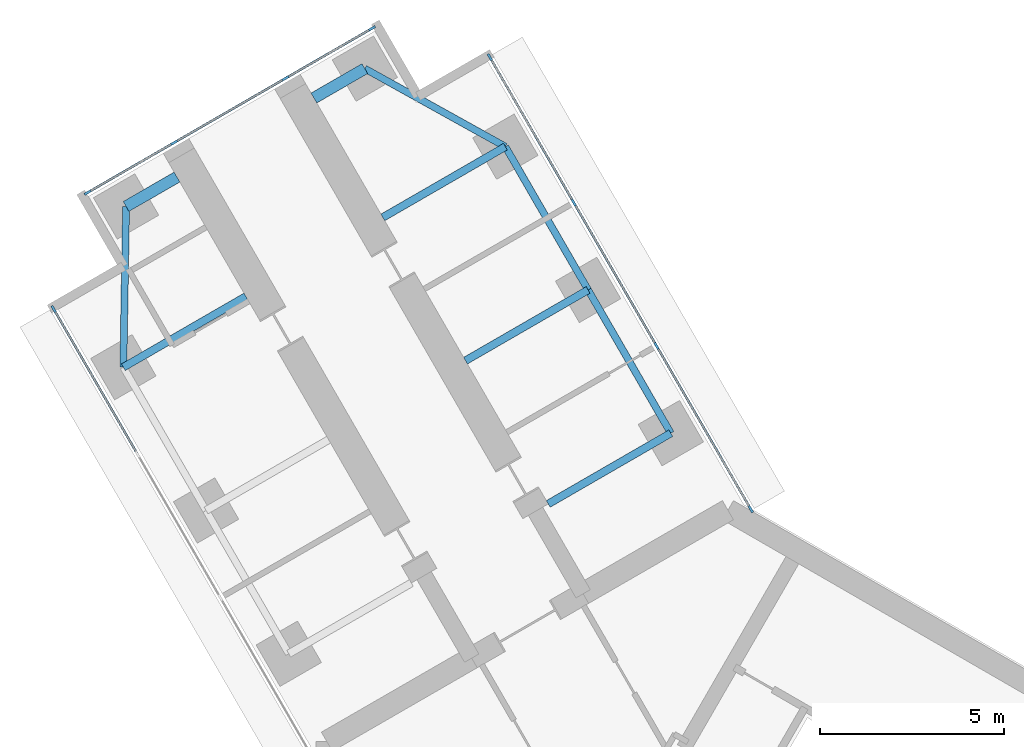
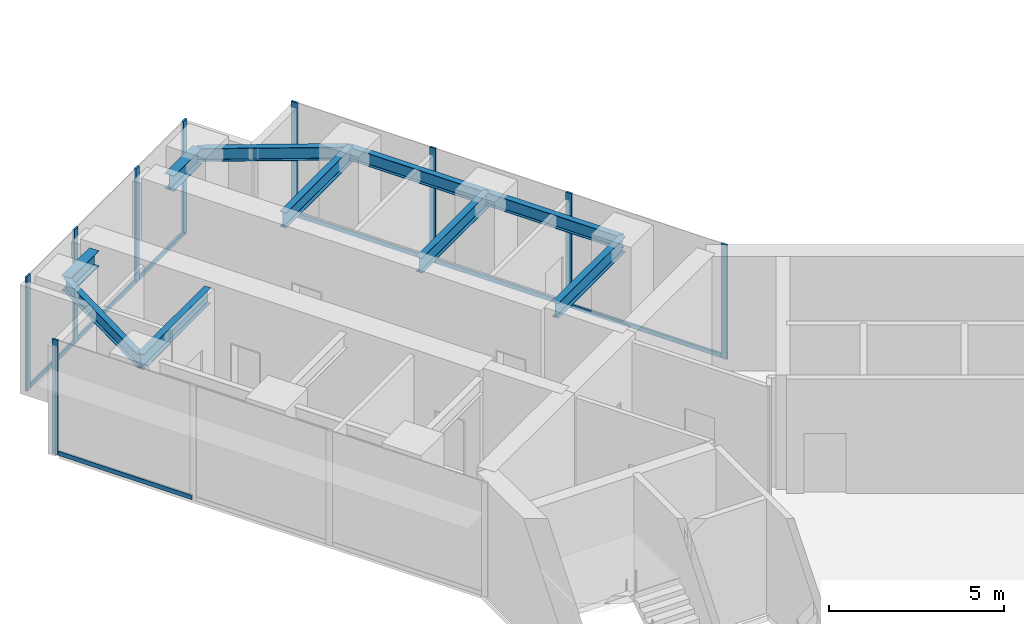
# One storey, part 6 of 22: 16 members, 10 beams, 3 elements without a shape of their own.
"""IFC4 building model written with IfcOpenShell, lengths in metres."""

from ifc_helpers import new_model, si_unit, direction, frame, origin, origin_2d, place, context, subcontext, project, spatial, rectangle, i_section, extrude, material, material_profile, profile_set, type_object, element, aggregate, save


model = new_model("IFC4")

# Units and contexts
model_context = context("Model", 3, precision=1e-05, world=origin(), true_north=direction((0.0, 1.0)))
body_context = subcontext(model_context, "Body", "Model", "MODEL_VIEW")
ifc_project = project(units=[si_unit("LENGTHUNIT", "METRE"), si_unit("AREAUNIT", "SQUARE_METRE"), si_unit("VOLUMEUNIT", "CUBIC_METRE"), si_unit("PLANEANGLEUNIT", "RADIAN"), si_unit("MASSUNIT", "GRAM", prefix="KILO")], contexts=[model_context])

# Site, building, storey
site_placement = place(None, origin())
site = spatial("IfcSite", under=ifc_project, at=site_placement, CompositionType="ELEMENT")
building_placement = place(site_placement, origin())
building = spatial("IfcBuilding", under=site, at=building_placement, Name="Upepo Twin Towers", CompositionType="ELEMENT")
storey_placement = place(building_placement, frame((0.0, 0.0, 121.5)))
storey = spatial("IfcBuildingStorey", under=building, at=storey_placement, Name="L29", CompositionType="ELEMENT", Elevation=121.5)

# Beams
ifc_material_1 = material(Name="Steel S355", Category="steel")
ifc_material_profile_1 = material_profile(ifc_material_1, i_section(OverallWidth=0.1904296875, OverallDepth=0.45703125, WebThickness=0.009033203125, FlangeThickness=0.014404296875, FilletRadius=0.01025390625, at=origin_2d()), Name="UB 457x191x74")
ifc_profile_set_1 = profile_set([ifc_material_profile_1], Name="Steel S355")
beam_type_1 = type_object("IfcBeamType", Name="Beam UB 457x191x74", PredefinedType="BEAM", material=ifc_profile_set_1)
beam_1_placement = place(storey_placement, frame((-16.446044921875, 16.485595703125, 3.571533203125), z_axis=(0.016803880528, 0.999858804832, 0.0), x_axis=(-0.999858804832, 0.016803880528, 0.0)))
element("IfcBeam", 1, at=beam_1_placement, inside=storey, type_object=beam_type_1, Name="T1 nose edge beam BL", PredefinedType="BEAM", context=body_context, shape_type="SweptSolid", body=[
    extrude(i_section(OverallWidth=0.1904296875, OverallDepth=0.45703125, WebThickness=0.009033203125, FlangeThickness=0.014404296875, FilletRadius=0.01025390625, at=origin_2d()), origin(), (0.0, 0.0, 1.0), 4.373291015625),
])
beam_2_placement = place(storey_placement, frame((-1.553955078125, 14.69140625, 3.571533203125), z_axis=(-0.500013631625, 0.866017533419, 0.0), x_axis=(-0.866017533419, -0.500013631625, 0.0)))
element("IfcBeam", 2, at=beam_2_placement, inside=storey, type_object=beam_type_1, Name="T1 edge beam BR 13.5-18.0", PredefinedType="BEAM", context=body_context, shape_type="SweptSolid", body=[
    extrude(i_section(OverallWidth=0.1904296875, OverallDepth=0.45703125, WebThickness=0.009033203125, FlangeThickness=0.014404296875, FilletRadius=0.01025390625, at=origin_2d()), origin(), (0.0, 0.0, 1.0), 4.499755859375),
])
beam_3_placement = place(storey_placement, frame((-3.803955078125, 18.58837890625, 3.571533203125), z_axis=(-0.499990139034, 0.866031096941, 0.0), x_axis=(-0.866031096941, -0.499990139034, 0.0)))
element("IfcBeam", 3, at=beam_3_placement, inside=storey, type_object=beam_type_1, Name="T1 edge beam BR 18.0-22.5", PredefinedType="BEAM", context=body_context, shape_type="SweptSolid", body=[
    extrude(i_section(OverallWidth=0.1904296875, OverallDepth=0.45703125, WebThickness=0.009033203125, FlangeThickness=0.014404296875, FilletRadius=0.01025390625, at=origin_2d()), origin(), (0.0, 0.0, 1.0), 4.5),
])
beam_4_placement = place(storey_placement, frame((-6.053955078125, 22.485595703125, 3.571533203125), z_axis=(-0.874312600038, 0.485363242752, 0.0), x_axis=(-0.485363242752, -0.874312600038, 0.0)))
element("IfcBeam", 4, at=beam_4_placement, inside=storey, type_object=beam_type_1, Name="T1 nose edge beam BR", PredefinedType="BEAM", context=body_context, shape_type="SweptSolid", body=[
    extrude(i_section(OverallWidth=0.1904296875, OverallDepth=0.45703125, WebThickness=0.009033203125, FlangeThickness=0.014404296875, FilletRadius=0.01025390625, at=origin_2d()), origin(), (0.0, 0.0, 1.0), 4.373046875),
])
ifc_material_2 = material(Name="Steel S355", Category="steel")
ifc_material_profile_2 = material_profile(ifc_material_2, i_section(OverallWidth=0.209228515625, OverallDepth=0.533203125, WebThickness=0.010009765625, FlangeThickness=0.015625, FilletRadius=0.0126953125, at=origin_2d()), Name="UB 533x210x92")
ifc_profile_set_2 = profile_set([ifc_material_profile_2], Name="Steel S355")
beam_type_2 = type_object("IfcBeamType", Name="Beam UB 533x210x92", PredefinedType="BEAM", material=ifc_profile_set_2)
for number, where, z_axis, x_axis, name in (
    (5, (-16.446044921875, 16.485595703125, 3.533447265625), (0.866006051527, 0.500033517596, 0.0), (-0.500033517596, 0.866006051527, 0.0), "T1 girder BL at 22.5"),
    (6, (-1.553955078125, 14.69140625, 3.533447265625), (-0.866006051527, -0.500033517596, 0.0), (0.500033517596, -0.866006051527, 0.0), "T1 girder BR at 13.5"),
):
    element("IfcBeam", number, at=place(storey_placement, frame(where, z_axis=z_axis, x_axis=x_axis)), inside=storey, type_object=beam_type_2, Name=name, PredefinedType="BEAM", context=body_context, shape_type="SweptSolid", body=[
        extrude(i_section(OverallWidth=0.209228515625, OverallDepth=0.533203125, WebThickness=0.010009765625, FlangeThickness=0.015625, FilletRadius=0.0126953125, at=origin_2d()), origin(), (0.0, 0.0, 1.0), 3.849853515625),
    ])
beam_5_placement = place(storey_placement, frame((-3.803955078125, 18.58837890625, 3.533447265625), z_axis=(-0.866033512162, -0.499985955615, 0.0), x_axis=(0.499985955615, -0.866033512162, 0.0)))
element("IfcBeam", 7, at=beam_5_placement, inside=storey, type_object=beam_type_2, Name="T1 girder BR at 18.0", PredefinedType="BEAM", context=body_context, shape_type="SweptSolid", body=[
    extrude(i_section(OverallWidth=0.209228515625, OverallDepth=0.533203125, WebThickness=0.010009765625, FlangeThickness=0.015625, FilletRadius=0.0126953125, at=origin_2d()), origin(), (0.0, 0.0, 1.0), 3.849609375),
])
beam_6_placement = place(storey_placement, frame((-6.053955078125, 22.485595703125, 3.533447265625), z_axis=(-0.866006051527, -0.500033517596, 0.0), x_axis=(0.500033517596, -0.866006051527, 0.0)))
element("IfcBeam", 8, at=beam_6_placement, inside=storey, type_object=beam_type_2, Name="T1 girder BR at 22.5", PredefinedType="BEAM", context=body_context, shape_type="SweptSolid", body=[
    extrude(i_section(OverallWidth=0.209228515625, OverallDepth=0.533203125, WebThickness=0.010009765625, FlangeThickness=0.015625, FilletRadius=0.0126953125, at=origin_2d()), origin(), (0.0, 0.0, 1.0), 3.849853515625),
])
ifc_material_3 = material(Name="Steel S355", Category="steel")
ifc_material_profile_3 = material_profile(ifc_material_3, i_section(OverallWidth=0.31201171875, OverallDepth=0.54345703125, WebThickness=0.0126953125, FlangeThickness=0.020263671875, FilletRadius=0.0126953125, at=origin_2d()), Name="UB 533x312x150")
ifc_profile_set_3 = profile_set([ifc_material_profile_3], Name="Steel S355")
beam_type_3 = type_object("IfcBeamType", Name="Beam UB 533x312x150", PredefinedType="BEAM", material=ifc_profile_set_3)
for number, where, z_axis, x_axis, name in (
    (9, (-16.37255859375, 20.858154296875, 3.5283203125), (0.865989903783, 0.500061482766, 0.0), (-0.500061482766, 0.865989903783, 0.0), "T1 nose beam BL"),
    (10, (-9.87744140625, 24.608154296875, 3.5283203125), (-0.865989903783, -0.500061482766, 0.0), (0.500061482766, -0.865989903783, 0.0), "T1 nose beam BR"),
):
    element("IfcBeam", number, at=place(storey_placement, frame(where, z_axis=z_axis, x_axis=x_axis)), inside=storey, type_object=beam_type_3, Name=name, PredefinedType="BEAM", context=body_context, shape_type="SweptSolid", body=[
        extrude(i_section(OverallWidth=0.31201171875, OverallDepth=0.54345703125, WebThickness=0.0126953125, FlangeThickness=0.020263671875, FilletRadius=0.0126953125, at=origin_2d()), origin(), (0.0, 0.0, 1.0), 1.599853515625),
    ])

# Curtain wall, member
ifc_material_4 = material(Name="Aluminium and fritted glass", Category="aluminium")
curtain_wall_type = type_object("IfcCurtainWallType", Name="Tower curtain wall TW2, fritted glass", PredefinedType="NOTDEFINED", material=ifc_material_4)
curtain_wall_1_placement = place(storey_placement, origin())
curtain_wall_1 = element("IfcCurtainWall", 11, at=curtain_wall_1_placement, inside=storey, type_object=curtain_wall_type, Name="T1 L29 wing B flank L curtain wall", PredefinedType="NOTDEFINED")
ifc_material_5 = material(Name="Aluminium mullion", Category="aluminium")
ifc_material_profile_4 = material_profile(ifc_material_5, rectangle(XDim=0.06494140625, YDim=0.199951171875, at=origin_2d()), Name="MULLION 65x200")
ifc_profile_set_4 = profile_set([ifc_material_profile_4], Name="Aluminium mullion")
member_type_1 = type_object("IfcMemberType", Name="Mullion 65x200 TW2", PredefinedType="MULLION", material=ifc_profile_set_4)
member_1_placement = place(storey_placement, frame((-18.341064453125, 18.067626953125, 0.0), z_axis=(0.0, 0.0, 1.0), x_axis=(-0.866025397833, -0.500000010308, 0.0)))
member_1 = element("IfcMember", 12, at=member_1_placement, type_object=member_type_1, Name="T1 L29 wing B flank L curtain wall mullion 4", PredefinedType="MULLION", context=body_context, shape_type="SweptSolid", body=[
    extrude(rectangle(XDim=0.06494140625, YDim=0.199951171875, at=origin_2d()), origin(), (0.0, 0.0, 1.0), 4.0),
])

# Curtain wall, members
curtain_wall_2_placement = place(storey_placement, origin())
curtain_wall_2 = element("IfcCurtainWall", 13, at=curtain_wall_2_placement, inside=storey, type_object=curtain_wall_type, Name="T1 L29 wing B flank R curtain wall", PredefinedType="NOTDEFINED")
member_2_placement = place(storey_placement, frame((-6.4765625, 24.91748046875, 0.0), z_axis=(0.0, 0.0, 1.0), x_axis=(0.866025397833, 0.500000010308, 0.0)))
member_2 = element("IfcMember", 14, at=member_2_placement, type_object=member_type_1, Name="T1 L29 wing B flank R curtain wall mullion 1", PredefinedType="MULLION", context=body_context, shape_type="SweptSolid", body=[
    extrude(rectangle(XDim=0.06494140625, YDim=0.199951171875, at=origin_2d()), origin(), (0.0, 0.0, 1.0), 4.0),
])
member_3_placement = place(storey_placement, frame((-4.192626953125, 20.9619140625, 0.0), z_axis=(0.0, 0.0, 1.0), x_axis=(0.866025397833, 0.500000010308, 0.0)))
member_3 = element("IfcMember", 15, at=member_3_placement, type_object=member_type_1, Name="T1 L29 wing B flank R curtain wall mullion 2", PredefinedType="MULLION", context=body_context, shape_type="SweptSolid", body=[
    extrude(rectangle(XDim=0.06494140625, YDim=0.199951171875, at=origin_2d()), origin(), (0.0, 0.0, 1.0), 4.0),
])
member_4_placement = place(storey_placement, frame((-1.942626953125, 17.06494140625, 0.0), z_axis=(0.0, 0.0, 1.0), x_axis=(0.866025397833, 0.500000010308, 0.0)))
member_4 = element("IfcMember", 16, at=member_4_placement, type_object=member_type_1, Name="T1 L29 wing B flank R curtain wall mullion 3", PredefinedType="MULLION", context=body_context, shape_type="SweptSolid", body=[
    extrude(rectangle(XDim=0.06494140625, YDim=0.199951171875, at=origin_2d()), origin(), (0.0, 0.0, 1.0), 4.0),
])
member_5_placement = place(storey_placement, frame((0.62255859375, 12.621826171875, 0.0), z_axis=(0.0, 0.0, 1.0), x_axis=(0.866025397833, 0.500000010308, 0.0)))
member_5 = element("IfcMember", 17, at=member_5_placement, type_object=member_type_1, Name="T1 L29 wing B flank R curtain wall mullion 4", PredefinedType="MULLION", context=body_context, shape_type="SweptSolid", body=[
    extrude(rectangle(XDim=0.06494140625, YDim=0.199951171875, at=origin_2d()), origin(), (0.0, 0.0, 1.0), 4.0),
])

curtain_wall_3_placement = place(storey_placement, origin())
curtain_wall_3 = element("IfcCurtainWall", 18, at=curtain_wall_3_placement, inside=storey, type_object=curtain_wall_type, Name="T1 L29 wing B nose curtain wall", PredefinedType="NOTDEFINED")
member_6_placement = place(storey_placement, frame((-9.68115234375, 25.703125, 0.0), z_axis=(0.0, 0.0, 1.0), x_axis=(0.500000030502, -0.866025386174, 0.0)))
member_6 = element("IfcMember", 19, at=member_6_placement, type_object=member_type_1, Name="T1 L29 wing B nose curtain wall mullion 1", PredefinedType="MULLION", context=body_context, shape_type="SweptSolid", body=[
    extrude(rectangle(XDim=0.06494140625, YDim=0.199951171875, at=origin_2d()), origin(), (0.0, 0.0, 1.0), 4.0),
])
member_7_placement = place(storey_placement, frame((-12.034423828125, 24.34423828125, 0.0), z_axis=(0.0, 0.0, 1.0), x_axis=(0.500000030502, -0.866025386174, 0.0)))
member_7 = element("IfcMember", 20, at=member_7_placement, type_object=member_type_1, Name="T1 L29 wing B nose curtain wall mullion 2", PredefinedType="MULLION", context=body_context, shape_type="SweptSolid", body=[
    extrude(rectangle(XDim=0.06494140625, YDim=0.199951171875, at=origin_2d()), origin(), (0.0, 0.0, 1.0), 4.0),
])
member_8_placement = place(storey_placement, frame((-15.0654296875, 22.59423828125, 0.0), z_axis=(0.0, 0.0, 1.0), x_axis=(0.500000030502, -0.866025386174, 0.0)))
member_8 = element("IfcMember", 21, at=member_8_placement, type_object=member_type_1, Name="T1 L29 wing B nose curtain wall mullion 3", PredefinedType="MULLION", context=body_context, shape_type="SweptSolid", body=[
    extrude(rectangle(XDim=0.06494140625, YDim=0.199951171875, at=origin_2d()), origin(), (0.0, 0.0, 1.0), 4.0),
])
member_9_placement = place(storey_placement, frame((-17.4189453125, 21.235595703125, 0.0), z_axis=(0.0, 0.0, 1.0), x_axis=(0.500000030502, -0.866025386174, 0.0)))
member_9 = element("IfcMember", 22, at=member_9_placement, type_object=member_type_1, Name="T1 L29 wing B nose curtain wall mullion 4", PredefinedType="MULLION", context=body_context, shape_type="SweptSolid", body=[
    extrude(rectangle(XDim=0.06494140625, YDim=0.199951171875, at=origin_2d()), origin(), (0.0, 0.0, 1.0), 4.0),
])

# Member
ifc_material_6 = material(Name="Aluminium transom", Category="aluminium")
ifc_material_profile_5 = material_profile(ifc_material_6, rectangle(XDim=0.06494140625, YDim=0.14990234375, at=origin_2d()), Name="TRANSOM 65x150")
ifc_profile_set_5 = profile_set([ifc_material_profile_5], Name="Aluminium transom")
member_type_2 = type_object("IfcMemberType", Name="Transom 65x150 TW2", PredefinedType="USERDEFINED", material=ifc_profile_set_5)
member_10_placement = place(storey_placement, frame((-16.073486328125, 14.14013671875, 0.074951171875), z_axis=(-0.499982167615, 0.866035699072, 0.0), x_axis=(-0.866035699072, -0.499982167615, 0.0)))
member_10 = element("IfcMember", 23, at=member_10_placement, type_object=member_type_2, Name="T1 L29 wing B flank L curtain wall transom 3", ObjectType="TRANSOM", PredefinedType="USERDEFINED", context=body_context, shape_type="SweptSolid", body=[
    extrude(rectangle(XDim=0.06494140625, YDim=0.14990234375, at=origin_2d()), origin(), (0.0, 0.0, 1.0), 4.502685546875),
])

aggregate(curtain_wall_1, [member_1, member_10])

member_11_placement = place(storey_placement, frame((-6.460205078125, 24.889404296875, 0.074951171875), z_axis=(0.500005646842, -0.866022143554, 0.0), x_axis=(0.866022143554, 0.500005646842, 0.0)))
member_11 = element("IfcMember", 24, at=member_11_placement, type_object=member_type_2, Name="T1 L29 wing B flank R curtain wall transom 1", ObjectType="TRANSOM", PredefinedType="USERDEFINED", context=body_context, shape_type="SweptSolid", body=[
    extrude(rectangle(XDim=0.06494140625, YDim=0.14990234375, at=origin_2d()), origin(), (0.0, 0.0, 1.0), 4.50244140625),
])

member_12_placement = place(storey_placement, frame((-4.176513671875, 20.933837890625, 0.074951171875), z_axis=(0.500005184116, -0.866022410713, 0.0), x_axis=(0.866022410713, 0.500005184116, 0.0)))
member_12 = element("IfcMember", 25, at=member_12_placement, type_object=member_type_2, Name="T1 L29 wing B flank R curtain wall transom 2", ObjectType="TRANSOM", PredefinedType="USERDEFINED", context=body_context, shape_type="SweptSolid", body=[
    extrude(rectangle(XDim=0.06494140625, YDim=0.14990234375, at=origin_2d()), origin(), (0.0, 0.0, 1.0), 4.43505859375),
])

member_13_placement = place(storey_placement, frame((-1.926513671875, 17.036865234375, 0.074951171875), z_axis=(0.499985288567, -0.866033897268, 0.0), x_axis=(0.866033897268, 0.499985288567, 0.0)))
member_13 = element("IfcMember", 26, at=member_13_placement, type_object=member_type_2, Name="T1 L29 wing B flank R curtain wall transom 3", ObjectType="TRANSOM", PredefinedType="USERDEFINED", context=body_context, shape_type="SweptSolid", body=[
    extrude(rectangle(XDim=0.06494140625, YDim=0.14990234375, at=origin_2d()), origin(), (0.0, 0.0, 1.0), 5.065673828125),
])

aggregate(curtain_wall_2, [member_2, member_3, member_4, member_5, member_11, member_12, member_13])

member_14_placement = place(storey_placement, frame((-9.709228515625, 25.686767578125, 0.074951171875), z_axis=(-0.866036909293, -0.499980071345, 0.0), x_axis=(0.499980071345, -0.866036909293, 0.0)))
member_14 = element("IfcMember", 27, at=member_14_placement, type_object=member_type_2, Name="T1 L29 wing B nose curtain wall transom 1", ObjectType="TRANSOM", PredefinedType="USERDEFINED", context=body_context, shape_type="SweptSolid", body=[
    extrude(rectangle(XDim=0.06494140625, YDim=0.14990234375, at=origin_2d()), origin(), (0.0, 0.0, 1.0), 2.65234375),
])

member_15_placement = place(storey_placement, frame((-12.0625, 24.328125, 0.074951171875), z_axis=(-0.866025804792, -0.499999305434, 0.0), x_axis=(0.499999305434, -0.866025804792, 0.0)))
member_15 = element("IfcMember", 28, at=member_15_placement, type_object=member_type_2, Name="T1 L29 wing B nose curtain wall transom 2", ObjectType="TRANSOM", PredefinedType="USERDEFINED", context=body_context, shape_type="SweptSolid", body=[
    extrude(rectangle(XDim=0.06494140625, YDim=0.14990234375, at=origin_2d()), origin(), (0.0, 0.0, 1.0), 3.43505859375),
])

member_16_placement = place(storey_placement, frame((-15.09375, 22.578125, 0.074951171875), z_axis=(-0.865997053448, -0.500049101008, 0.0), x_axis=(0.500049101008, -0.865997053448, 0.0)))
member_16 = element("IfcMember", 29, at=member_16_placement, type_object=member_type_2, Name="T1 L29 wing B nose curtain wall transom 3", ObjectType="TRANSOM", PredefinedType="USERDEFINED", context=body_context, shape_type="SweptSolid", body=[
    extrude(rectangle(XDim=0.06494140625, YDim=0.14990234375, at=origin_2d()), origin(), (0.0, 0.0, 1.0), 2.652587890625),
])

aggregate(curtain_wall_3, [member_6, member_7, member_8, member_9, member_14, member_15, member_16])

save(model, "model.ifc")
